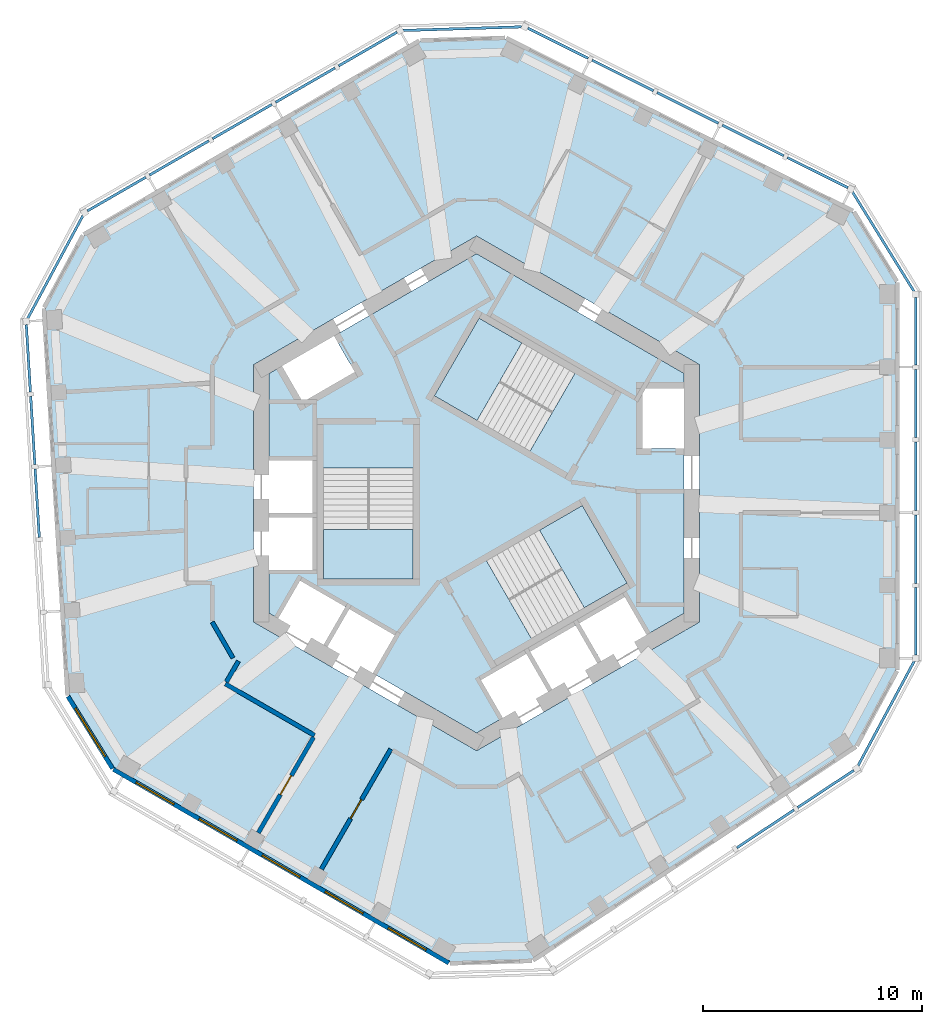
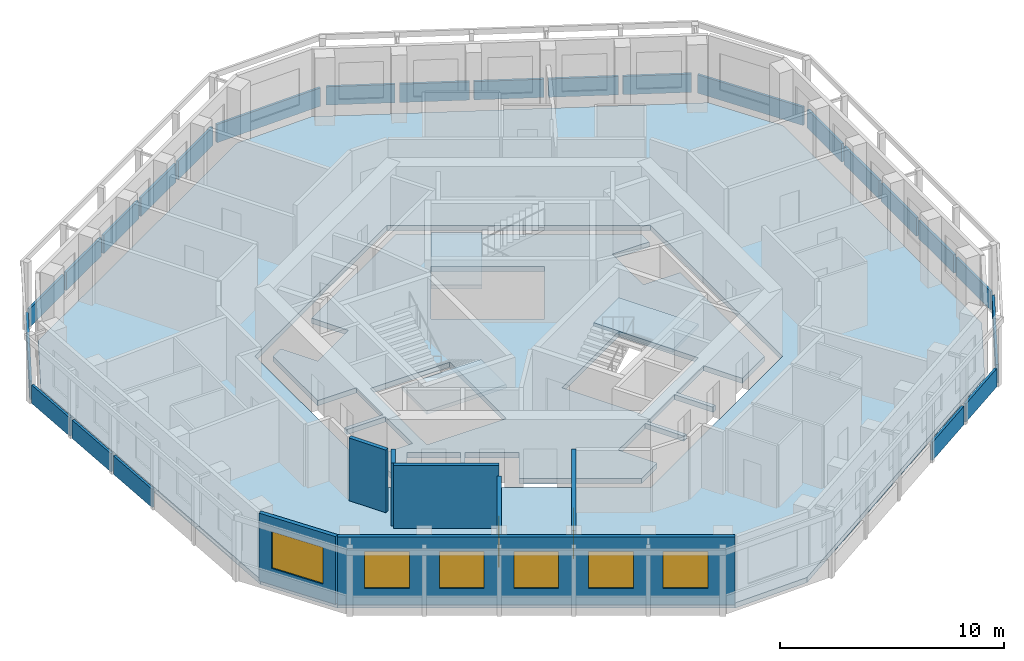
# One storey, part 3 of 11: 24 plates, 7 walls, 6 windows, 5 slabs, 2 doors, 8 openings, 12 elements without a shape of their own.
"""IFC4 building model written with IfcOpenShell, lengths in metres."""

from ifc_helpers import new_model, si_unit, direction, frame, frame_2d, origin, origin_2d, place, context, subcontext, project, spatial, polyline, rectangle, outline, extrude, material, layer, layer_set, type_object, element, fill, aggregate, save


model = new_model("IFC4")

# Units and contexts
model_context = context("Model", 3, precision=1e-05, world=origin(), true_north=direction((0.0, 1.0)))
body_context = subcontext(model_context, "Body", "Model", "MODEL_VIEW")
ifc_project = project(units=[si_unit("LENGTHUNIT", "METRE"), si_unit("AREAUNIT", "SQUARE_METRE"), si_unit("VOLUMEUNIT", "CUBIC_METRE"), si_unit("PLANEANGLEUNIT", "RADIAN"), si_unit("MASSUNIT", "GRAM", prefix="KILO")], contexts=[model_context])

# Site, building, storey
site_placement = place(None, origin())
site = spatial("IfcSite", under=ifc_project, at=site_placement, CompositionType="ELEMENT")
building_placement = place(site_placement, origin())
building = spatial("IfcBuilding", under=site, at=building_placement, Name="Vanh Sen Convention Tower", CompositionType="ELEMENT")
storey_placement = place(building_placement, frame((0.0, 0.0, 293.10009765625)))
storey = spatial("IfcBuildingStorey", under=building, at=storey_placement, Name="L72", CompositionType="ELEMENT", Elevation=293.10009765625)

# Slabs
ifc_material_1 = material(Name="Concrete C40/50", Category="concrete")
ifc_layer_1 = layer(ifc_material_1, 0.280029296875)
ifc_layer_set_1 = layer_set([ifc_layer_1], Name="Concrete C40/50")
slab_type_1 = type_object("IfcSlabType", Name="Core slab 280", PredefinedType="FLOOR", material=ifc_layer_set_1)
slab_1_placement = place(storey_placement, frame((0.0, 0.0, -0.280029296875)))
element("IfcSlab", 1, at=slab_1_placement, inside=storey, type_object=slab_type_1, Name="Core slab L72", PredefinedType="FLOOR", context=body_context, shape_type="SweptSolid", body=[
    extrude(outline(polyline([(0.0, 10.9697265625), (9.5, 5.48486328125), (9.5, 4.800048828125), (7.60009765625, 4.800048828125), (7.60009765625, 2.050048828125), (9.5, 2.050048828125), (9.5, -5.48486328125), (7.781005859375, -6.477294921875), (6.781005859375, -4.7451171875), (4.70263671875, -5.9453125), (5.70263671875, -7.67724609375), (5.529296875, -7.777099609375), (4.529296875, -6.045166015625), (2.450927734375, -7.2451171875), (3.450927734375, -8.977294921875), (3.27783203125, -9.0771484375), (2.27783203125, -7.34521484375), (0.19921875, -8.545166015625), (1.19921875, -10.277099609375), (0.0, -10.9697265625), (-4.75, -8.227294921875), (-3.75, -6.4951171875), (-5.82861328125, -5.295166015625), (-6.82861328125, -7.027099609375), (-7.001708984375, -6.92724609375), (-6.001708984375, -5.1953125), (-8.080078125, -3.9951171875), (-9.080078125, -5.727294921875), (-9.5, -5.48486328125), (-9.5, -3.5), (-7.5, -3.5), (-7.5, -1.10009765625), (-9.5, -1.10009765625), (-9.5, -0.89990234375), (-7.5, -0.89990234375), (-7.5, 1.5), (-9.5, 1.5), (-9.5, 5.48486328125), (-8.906982421875, 5.8271484375), (-7.956787109375, 4.181884765625), (-5.575439453125, 5.556884765625), (-6.525390625, 7.2021484375), (0.0, 10.9697265625)]), holes=[polyline([(-7.0, 1.1494140625), (-7.0, -3.909912109375), (-2.89990234375, -3.909912109375), (-2.89990234375, 1.1494140625), (-7.0, 1.1494140625)]), polyline([(2.504638671875, -6.63671875), (6.88623046875, -4.107177734375), (4.836181640625, -0.556396484375), (0.45458984375, -3.086181640625), (2.504638671875, -6.63671875)]), polyline([(0.11376953125, 8.01708984375), (-1.936279296875, 4.466552734375), (2.4453125, 1.936767578125), (4.495361328125, 5.487548828125), (0.11376953125, 8.01708984375)])]), origin(), (0.0, 0.0, 1.0), 0.280029296875),
])
ifc_layer_2 = layer(ifc_material_1, 0.280029296875)
ifc_layer_set_2 = layer_set([ifc_layer_2], Name="Concrete C40/50")
slab_type_2 = type_object("IfcSlabType", Name="Floor slab 280 REI 120", PredefinedType="FLOOR", material=ifc_layer_set_2)
slab_2_placement = place(storey_placement, frame((0.0, 0.0, -0.280029296875)))
element("IfcSlab", 2, at=slab_2_placement, inside=storey, type_object=slab_type_2, Name="Floor slab L72 tower", PredefinedType="FLOOR", context=body_context, shape_type="SweptSolid", body=[
    extrude(outline(polyline([(19.199951171875, -8.0966796875), (19.199951171875, 9.66162109375), (17.21337890625, 12.871826171875), (1.32080078125, 20.79541015625), (-2.587890625, 20.676025390625), (-17.967041015625, 11.796875), (-19.75390625, 8.471435546875), (-18.669921875, -9.25390625), (-16.612060546875, -12.579345703125), (-1.23291015625, -21.45849609375), (2.54052734375, -21.34326171875), (17.34912109375, -11.541748046875), (19.199951171875, -8.0966796875)]), holes=[polyline([(0.0, 11.77783203125), (-10.199951171875, 5.888916015625), (-10.199951171875, -5.888916015625), (0.0, -11.77783203125), (10.199951171875, -5.888916015625), (10.199951171875, 5.888916015625), (0.0, 11.77783203125)])]), origin(), (0.0, 0.0, 1.0), 0.280029296875),
])

# Curtain wall, plates
ifc_material_2 = material(Name="Concrete C50/60", Category="concrete")
curtain_wall_type = type_object("IfcCurtainWallType", Name="Outer skin office zone", PredefinedType="NOTDEFINED", material=ifc_material_2)
curtain_wall_1_placement = place(storey_placement, origin())
curtain_wall_1 = element("IfcCurtainWall", 3, at=curtain_wall_1_placement, inside=storey, type_object=curtain_wall_type, Name="OUTER SKIN E L72", PredefinedType="NOTDEFINED")
ifc_layer_3 = layer(ifc_material_2, 0.1201171875)
ifc_layer_set_3 = layer_set([ifc_layer_3], Name="Concrete C50/60")
plate_type = type_object("IfcPlateType", Name="Outer skin precast screen panel 120", PredefinedType="CURTAIN_PANEL", material=ifc_layer_set_3)
plate_1_placement = place(storey_placement, frame((20.10009765625, -5.85595703125, 0.0), z_axis=(0.0, 0.0, 1.0), x_axis=(0.0, 1.0, 0.0)))
plate_1 = element("IfcPlate", 4, at=plate_1_placement, type_object=plate_type, Name="OUTER SKIN screen panel E-1", PredefinedType="CURTAIN_PANEL", context=body_context, shape_type="SweptSolid", body=[
    extrude(rectangle(XDim=3.08154296875, YDim=0.1201171875, at=origin_2d()), origin(), (0.0, 0.0, 1.0), 1.0),
])
plate_2_placement = place(storey_placement, frame((20.10009765625, -2.54931640625, 0.0), z_axis=(0.0, 0.0, 1.0), x_axis=(0.0, 1.0, 0.0)))
plate_2 = element("IfcPlate", 5, at=plate_2_placement, type_object=plate_type, Name="OUTER SKIN screen panel E-2", PredefinedType="CURTAIN_PANEL", context=body_context, shape_type="SweptSolid", body=[
    extrude(rectangle(XDim=3.131591796875, YDim=0.1201171875, at=origin_2d()), origin(), (0.0, 0.0, 1.0), 1.0),
])
plate_3_placement = place(storey_placement, frame((20.10009765625, 0.782470703125, 0.0), z_axis=(0.0, 0.0, 1.0), x_axis=(0.0, 1.0, 0.0)))
plate_3 = element("IfcPlate", 6, at=plate_3_placement, type_object=plate_type, Name="OUTER SKIN screen panel E-3", PredefinedType="CURTAIN_PANEL", context=body_context, shape_type="SweptSolid", body=[
    extrude(rectangle(XDim=3.131591796875, YDim=0.1201171875, at=origin_2d()), origin(), (0.0, 0.0, 1.0), 1.0),
])
plate_4_placement = place(storey_placement, frame((20.10009765625, 4.114013671875, 0.0), z_axis=(0.0, 0.0, 1.0), x_axis=(0.0, 1.0, 0.0)))
plate_4 = element("IfcPlate", 7, at=plate_4_placement, type_object=plate_type, Name="OUTER SKIN screen panel E-4", PredefinedType="CURTAIN_PANEL", context=body_context, shape_type="SweptSolid", body=[
    extrude(rectangle(XDim=3.131591796875, YDim=0.1201171875, at=origin_2d()), origin(), (0.0, 0.0, 1.0), 1.0),
])
plate_5_placement = place(storey_placement, frame((20.10009765625, 7.420654296875, 0.0), z_axis=(0.0, 0.0, 1.0), x_axis=(0.0, 1.0, 0.0)))
plate_5 = element("IfcPlate", 8, at=plate_5_placement, type_object=plate_type, Name="OUTER SKIN screen panel E-5", PredefinedType="CURTAIN_PANEL", context=body_context, shape_type="SweptSolid", body=[
    extrude(rectangle(XDim=3.08154296875, YDim=0.1201171875, at=origin_2d()), origin(), (0.0, 0.0, 1.0), 1.0),
])
aggregate(curtain_wall_1, [plate_1, plate_2, plate_3, plate_4, plate_5])

# Curtain wall, plate
curtain_wall_2_placement = place(storey_placement, origin())
curtain_wall_2 = element("IfcCurtainWall", 9, at=curtain_wall_2_placement, inside=storey, type_object=curtain_wall_type, Name="OUTER SKIN CH1 L72", PredefinedType="NOTDEFINED")
plate_6_placement = place(storey_placement, frame((18.611328125, 11.51708984375, 0.0), z_axis=(0.0, 0.0, 1.0), x_axis=(-0.526218376078, 0.850349469734, 0.0)))
plate_6 = element("IfcPlate", 10, at=plate_6_placement, type_object=plate_type, Name="OUTER SKIN screen panel CH1-1", PredefinedType="CURTAIN_PANEL", context=body_context, shape_type="SweptSolid", body=[
    extrude(rectangle(XDim=5.35791015625, YDim=0.1201171875, at=origin_2d()), origin(), (0.0, 0.0, 1.0), 1.0),
])
aggregate(curtain_wall_2, [plate_6])

# Curtain wall, plates
curtain_wall_3_placement = place(storey_placement, origin())
curtain_wall_3 = element("IfcCurtainWall", 11, at=curtain_wall_3_placement, inside=storey, type_object=curtain_wall_type, Name="OUTER SKIN NE L72", PredefinedType="NOTDEFINED")
plate_7_placement = place(storey_placement, frame((15.609619140625, 14.677001953125, 0.0), z_axis=(0.0, 0.0, 1.0), x_axis=(-0.894931246532, 0.446204060919, 0.0)))
plate_7 = element("IfcPlate", 12, at=plate_7_placement, type_object=plate_type, Name="OUTER SKIN screen panel NE-1", PredefinedType="CURTAIN_PANEL", context=body_context, shape_type="SweptSolid", body=[
    extrude(rectangle(XDim=3.081787109375, YDim=0.1201171875, at=origin_2d()), origin(), (0.0, 0.0, 1.0), 1.0),
])
plate_8_placement = place(storey_placement, frame((12.650390625, 16.152587890625, 0.0), z_axis=(0.0, 0.0, 1.0), x_axis=(-0.894931246532, 0.446204060919, 0.0)))
plate_8 = element("IfcPlate", 13, at=plate_8_placement, type_object=plate_type, Name="OUTER SKIN screen panel NE-2", PredefinedType="CURTAIN_PANEL", context=body_context, shape_type="SweptSolid", body=[
    extrude(rectangle(XDim=3.131591796875, YDim=0.1201171875, at=origin_2d()), origin(), (0.0, 0.0, 1.0), 1.0),
])
plate_9_placement = place(storey_placement, frame((9.668701171875, 17.63916015625, 0.0), z_axis=(0.0, 0.0, 1.0), x_axis=(-0.894931246532, 0.446204060919, 0.0)))
plate_9 = element("IfcPlate", 14, at=plate_9_placement, type_object=plate_type, Name="OUTER SKIN screen panel NE-3", PredefinedType="CURTAIN_PANEL", context=body_context, shape_type="SweptSolid", body=[
    extrude(rectangle(XDim=3.131591796875, YDim=0.1201171875, at=origin_2d()), origin(), (0.0, 0.0, 1.0), 1.0),
])
plate_10_placement = place(storey_placement, frame((6.687255859375, 19.125732421875, 0.0), z_axis=(0.0, 0.0, 1.0), x_axis=(-0.89494292782, 0.446180631521, 0.0)))
plate_10 = element("IfcPlate", 15, at=plate_10_placement, type_object=plate_type, Name="OUTER SKIN screen panel NE-4", PredefinedType="CURTAIN_PANEL", context=body_context, shape_type="SweptSolid", body=[
    extrude(rectangle(XDim=3.131591796875, YDim=0.1201171875, at=origin_2d()), origin(), (0.0, 0.0, 1.0), 1.0),
])
plate_11_placement = place(storey_placement, frame((3.727783203125, 20.60107421875, 0.0), z_axis=(0.0, 0.0, 1.0), x_axis=(-0.894931246532, 0.446204060919, 0.0)))
plate_11 = element("IfcPlate", 16, at=plate_11_placement, type_object=plate_type, Name="OUTER SKIN screen panel NE-5", PredefinedType="CURTAIN_PANEL", context=body_context, shape_type="SweptSolid", body=[
    extrude(rectangle(XDim=3.081787109375, YDim=0.1201171875, at=origin_2d()), origin(), (0.0, 0.0, 1.0), 1.0),
])
aggregate(curtain_wall_3, [plate_7, plate_8, plate_9, plate_10, plate_11])

# Curtain wall, plate
curtain_wall_4_placement = place(storey_placement, origin())
curtain_wall_4 = element("IfcCurtainWall", 17, at=curtain_wall_4_placement, inside=storey, type_object=curtain_wall_type, Name="OUTER SKIN CH2 L72", PredefinedType="NOTDEFINED")
plate_12_placement = place(storey_placement, frame((-0.64990234375, 21.26806640625, 0.0), z_axis=(0.0, 0.0, 1.0), x_axis=(-0.99953391058, -0.030528046117, 0.0)))
plate_12 = element("IfcPlate", 18, at=plate_12_placement, type_object=plate_type, Name="OUTER SKIN screen panel CH2-1", PredefinedType="CURTAIN_PANEL", context=body_context, shape_type="SweptSolid", body=[
    extrude(rectangle(XDim=5.431640625, YDim=0.1201171875, at=origin_2d()), origin(), (0.0, 0.0, 1.0), 1.0),
])
aggregate(curtain_wall_4, [plate_12])

# Curtain wall, plates
curtain_wall_5_placement = place(storey_placement, origin())
curtain_wall_5 = element("IfcCurtainWall", 19, at=curtain_wall_5_placement, inside=storey, type_object=curtain_wall_type, Name="OUTER SKIN NW L72", PredefinedType="NOTDEFINED")
plate_13_placement = place(storey_placement, frame((-4.978515625, 20.335205078125, 0.0), z_axis=(0.0, 0.0, 1.0), x_axis=(-0.866015804314, -0.500016626402, 0.0)))
plate_13 = element("IfcPlate", 20, at=plate_13_placement, type_object=plate_type, Name="OUTER SKIN screen panel NW-1", PredefinedType="CURTAIN_PANEL", context=body_context, shape_type="SweptSolid", body=[
    extrude(rectangle(XDim=3.081787109375, YDim=0.1201171875, at=origin_2d()), origin(), (0.0, 0.0, 1.0), 1.0),
])
plate_14_placement = place(storey_placement, frame((-7.84228515625, 18.681640625, 0.0), z_axis=(0.0, 0.0, 1.0), x_axis=(-0.866028894422, -0.49999395399, 0.0)))
plate_14 = element("IfcPlate", 21, at=plate_14_placement, type_object=plate_type, Name="OUTER SKIN screen panel NW-2", PredefinedType="CURTAIN_PANEL", context=body_context, shape_type="SweptSolid", body=[
    extrude(rectangle(XDim=3.131591796875, YDim=0.1201171875, at=origin_2d()), origin(), (0.0, 0.0, 1.0), 1.0),
])
plate_15_placement = place(storey_placement, frame((-10.7275390625, 17.015869140625, 0.0), z_axis=(0.0, 0.0, 1.0), x_axis=(-0.866028894422, -0.49999395399, 0.0)))
plate_15 = element("IfcPlate", 22, at=plate_15_placement, type_object=plate_type, Name="OUTER SKIN screen panel NW-3", PredefinedType="CURTAIN_PANEL", context=body_context, shape_type="SweptSolid", body=[
    extrude(rectangle(XDim=3.131591796875, YDim=0.1201171875, at=origin_2d()), origin(), (0.0, 0.0, 1.0), 1.0),
])
plate_16_placement = place(storey_placement, frame((-13.61279296875, 15.35009765625, 0.0), z_axis=(0.0, 0.0, 1.0), x_axis=(-0.866015804314, -0.500016626402, 0.0)))
plate_16 = element("IfcPlate", 23, at=plate_16_placement, type_object=plate_type, Name="OUTER SKIN screen panel NW-4", PredefinedType="CURTAIN_PANEL", context=body_context, shape_type="SweptSolid", body=[
    extrude(rectangle(XDim=3.131591796875, YDim=0.1201171875, at=origin_2d()), origin(), (0.0, 0.0, 1.0), 1.0),
])
plate_17_placement = place(storey_placement, frame((-16.4765625, 13.69677734375, 0.0), z_axis=(0.0, 0.0, 1.0), x_axis=(-0.866028894422, -0.49999395399, 0.0)))
plate_17 = element("IfcPlate", 24, at=plate_17_placement, type_object=plate_type, Name="OUTER SKIN screen panel NW-5", PredefinedType="CURTAIN_PANEL", context=body_context, shape_type="SweptSolid", body=[
    extrude(rectangle(XDim=3.08154296875, YDim=0.1201171875, at=origin_2d()), origin(), (0.0, 0.0, 1.0), 1.0),
])
aggregate(curtain_wall_5, [plate_13, plate_14, plate_15, plate_16, plate_17])

# Curtain wall, plate
curtain_wall_6_placement = place(storey_placement, origin())
curtain_wall_6 = element("IfcCurtainWall", 25, at=curtain_wall_6_placement, inside=storey, type_object=curtain_wall_type, Name="OUTER SKIN CH3 L72", PredefinedType="NOTDEFINED")
plate_18_placement = place(storey_placement, frame((-19.27978515625, 10.359375, 0.0), z_axis=(0.0, 0.0, 1.0), x_axis=(-0.473324279511, -0.880888259897, 0.0)))
plate_18 = element("IfcPlate", 26, at=plate_18_placement, type_object=plate_type, Name="OUTER SKIN screen panel CH3-1", PredefinedType="CURTAIN_PANEL", context=body_context, shape_type="SweptSolid", body=[
    extrude(rectangle(XDim=5.35791015625, YDim=0.1201171875, at=origin_2d()), origin(), (0.0, 0.0, 1.0), 1.0),
])
aggregate(curtain_wall_6, [plate_18])

# Curtain wall, plates
curtain_wall_7_placement = place(storey_placement, origin())
curtain_wall_7 = element("IfcCurtainWall", 27, at=curtain_wall_7_placement, inside=storey, type_object=curtain_wall_type, Name="OUTER SKIN W L72", PredefinedType="NOTDEFINED")
plate_19_placement = place(storey_placement, frame((-20.515380859375, 6.1796875, 0.0), z_axis=(0.0, 0.0, 1.0), x_axis=(0.061052023682, -0.998134585316, 0.0)))
plate_19 = element("IfcPlate", 28, at=plate_19_placement, type_object=plate_type, Name="OUTER SKIN screen panel W-1", PredefinedType="CURTAIN_PANEL", context=body_context, shape_type="SweptSolid", body=[
    extrude(rectangle(XDim=3.08154296875, YDim=0.1201171875, at=origin_2d()), origin(), (0.0, 0.0, 1.0), 1.0),
])
plate_20_placement = place(storey_placement, frame((-20.313720703125, 2.87939453125, 0.0), z_axis=(0.0, 0.0, 1.0), x_axis=(0.061050281609, -0.998134691871, 0.0)))
plate_20 = element("IfcPlate", 29, at=plate_20_placement, type_object=plate_type, Name="OUTER SKIN screen panel W-2", PredefinedType="CURTAIN_PANEL", context=body_context, shape_type="SweptSolid", body=[
    extrude(rectangle(XDim=3.131591796875, YDim=0.1201171875, at=origin_2d()), origin(), (0.0, 0.0, 1.0), 1.0),
])
plate_21_placement = place(storey_placement, frame((-20.1103515625, -0.4462890625, 0.0), z_axis=(0.0, 0.0, 1.0), x_axis=(0.061052023682, -0.998134585316, 0.0)))
plate_21 = element("IfcPlate", 30, at=plate_21_placement, type_object=plate_type, Name="OUTER SKIN screen panel W-3", PredefinedType="CURTAIN_PANEL", context=body_context, shape_type="SweptSolid", body=[
    extrude(rectangle(XDim=3.131591796875, YDim=0.1201171875, at=origin_2d()), origin(), (0.0, 0.0, 1.0), 1.0),
])
aggregate(curtain_wall_7, [plate_19, plate_20, plate_21])

curtain_wall_8_placement = place(storey_placement, origin())
curtain_wall_8 = element("IfcCurtainWall", 31, at=curtain_wall_8_placement, inside=storey, type_object=curtain_wall_type, Name="OUTER SKIN SE L72", PredefinedType="NOTDEFINED")
plate_22_placement = place(storey_placement, frame((13.2197265625, -15.35400390625, 0.0), z_axis=(0.0, 0.0, 1.0), x_axis=(0.833879078823, 0.551947173108, 0.0)))
plate_22 = element("IfcPlate", 32, at=plate_22_placement, type_object=plate_type, Name="OUTER SKIN screen panel SE-4", PredefinedType="CURTAIN_PANEL", context=body_context, shape_type="SweptSolid", body=[
    extrude(rectangle(XDim=3.131591796875, YDim=0.1201171875, at=origin_2d()), origin(), (0.0, 0.0, 1.0), 1.0),
])
plate_23_placement = place(storey_placement, frame((15.97705078125, -13.529052734375, 0.0), z_axis=(0.0, 0.0, 1.0), x_axis=(0.833879078823, 0.551947173108, 0.0)))
plate_23 = element("IfcPlate", 33, at=plate_23_placement, type_object=plate_type, Name="OUTER SKIN screen panel SE-5", PredefinedType="CURTAIN_PANEL", context=body_context, shape_type="SweptSolid", body=[
    extrude(rectangle(XDim=3.081787109375, YDim=0.1201171875, at=origin_2d()), origin(), (0.0, 0.0, 1.0), 1.0),
])
aggregate(curtain_wall_8, [plate_22, plate_23])

# Curtain wall, plate
curtain_wall_9_placement = place(storey_placement, origin())
curtain_wall_9 = element("IfcCurtainWall", 34, at=curtain_wall_9_placement, inside=storey, type_object=curtain_wall_type, Name="OUTER SKIN CH6 L72", PredefinedType="NOTDEFINED")
plate_24_placement = place(storey_placement, frame((18.743408203125, -10.0712890625, 0.0), z_axis=(0.0, 0.0, 1.0), x_axis=(0.473324279511, 0.880888259897, 0.0)))
plate_24 = element("IfcPlate", 35, at=plate_24_placement, type_object=plate_type, Name="OUTER SKIN screen panel CH6-1", PredefinedType="CURTAIN_PANEL", context=body_context, shape_type="SweptSolid", body=[
    extrude(rectangle(XDim=5.431884765625, YDim=0.1201171875, at=origin_2d()), origin(), (0.0, 0.0, 1.0), 1.0),
])
aggregate(curtain_wall_9, [plate_24])

# Stair, slab
ifc_material_3 = material(Name="Concrete C50/60", Category="concrete")
stair_type_1 = type_object("IfcStairType", Name="Exit stair ST1 22 risers at 168.2", PredefinedType="HALF_TURN_STAIR", material=ifc_material_3)
stair_1_placement = place(storey_placement, origin())
stair_1 = element("IfcStair", 36, at=stair_1_placement, inside=storey, type_object=stair_type_1, Name="Exit stair ST1 L72", PredefinedType="HALF_TURN_STAIR")
ifc_layer_4 = layer(ifc_material_1, 0.199951171875)
ifc_layer_set_4 = layer_set([ifc_layer_4], Name="Concrete C40/50")
slab_type_3 = type_object("IfcSlabType", Name="Stair landing 200", PredefinedType="LANDING", material=ifc_layer_set_4)
slab_3_placement = place(storey_placement, frame((0.0, 0.0, 1.64990234375)))
slab_3 = element("IfcSlab", 37, at=slab_3_placement, type_object=slab_type_3, Name="ST1 landing 1", PredefinedType="LANDING", context=body_context, shape_type="SweptSolid", body=[
    extrude(outline(polyline([(2.07177734375, 6.88671875), (0.11376953125, 8.01708984375), (-1.936279296875, 4.466552734375), (0.021728515625, 3.336181640625), (2.07177734375, 6.88671875)])), origin(), (0.0, 0.0, 1.0), 0.199951171875),
])
aggregate(stair_1, [slab_3])

stair_type_2 = type_object("IfcStairType", Name="Exit stair ST2 22 risers at 168.2", PredefinedType="HALF_TURN_STAIR", material=ifc_material_3)
stair_2_placement = place(storey_placement, origin())
stair_2 = element("IfcStair", 38, at=stair_2_placement, inside=storey, type_object=stair_type_2, Name="Exit stair ST2 L72", PredefinedType="HALF_TURN_STAIR")
slab_4_placement = place(storey_placement, frame((0.0, 0.0, 1.64990234375)))
slab_4 = element("IfcSlab", 39, at=slab_4_placement, type_object=slab_type_3, Name="ST2 landing 1", PredefinedType="LANDING", context=body_context, shape_type="SweptSolid", body=[
    extrude(outline(polyline([(-7.0, -1.6494140625), (-7.0, -3.909912109375), (-2.89990234375, -3.909912109375), (-2.89990234375, -1.6494140625), (-7.0, -1.6494140625)])), origin(), (0.0, 0.0, 1.0), 0.199951171875),
])
aggregate(stair_2, [slab_4])

stair_type_3 = type_object("IfcStairType", Name="Exit stair ST3 22 risers at 168.2", PredefinedType="HALF_TURN_STAIR", material=ifc_material_3)
stair_3_placement = place(storey_placement, origin())
stair_3 = element("IfcStair", 40, at=stair_3_placement, inside=storey, type_object=stair_type_3, Name="Exit stair ST3 L72", PredefinedType="HALF_TURN_STAIR")
slab_5_placement = place(storey_placement, frame((0.0, 0.0, 1.64990234375)))
slab_5 = element("IfcSlab", 41, at=slab_5_placement, type_object=slab_type_3, Name="ST3 landing 1", PredefinedType="LANDING", context=body_context, shape_type="SweptSolid", body=[
    extrude(outline(polyline([(4.92822265625, -5.237548828125), (6.88623046875, -4.107177734375), (4.836181640625, -0.556396484375), (2.87841796875, -1.686767578125), (4.92822265625, -5.237548828125)])), origin(), (0.0, 0.0, 1.0), 0.199951171875),
])
aggregate(stair_3, [slab_5])

# Walls
ifc_material_4 = material(Name="Gypsum board on steel studs with mineral wool", Category="steel")
ifc_layer_5 = layer(ifc_material_4, 0.199951171875)
ifc_layer_set_5 = layer_set([ifc_layer_5], Name="Gypsum board on steel studs with mineral wool")
wall_type_1 = type_object("IfcWallType", Name="Corridor partition wall 200", PredefinedType="PARTITIONING", material=ifc_layer_set_5)
wall_1_placement = place(storey_placement, frame((-12.10009765625, -5.888916015625, 0.0), z_axis=(0.0, 0.0, 1.0), x_axis=(0.500063520245, -0.865988727248, 0.0)))
element("IfcWall", 42, at=wall_1_placement, inside=storey, type_object=wall_type_1, Name="Corridor partition wall 200", PredefinedType="PARTITIONING", context=body_context, shape_type="SweptSolid", body=[
    extrude(rectangle(XDim=1.900146484375, YDim=0.199951171875, at=frame_2d((0.9501953125, 0.0))), origin(), (0.0, 0.0, 1.0), 3.419921875),
])
wall_2_placement = place(storey_placement, frame((-11.501220703125, -8.718505859375, 0.0), z_axis=(0.0, 0.0, 1.0), x_axis=(0.866024434742, -0.500001678427, 0.0)))
element("IfcWall", 43, at=wall_2_placement, inside=storey, type_object=wall_type_1, Name="Corridor partition wall 200", PredefinedType="PARTITIONING", context=body_context, shape_type="SweptSolid", body=[
    extrude(rectangle(XDim=4.7177734375, YDim=0.199951171875, at=frame_2d((2.35888671875, 0.0))), origin(), (0.0, 0.0, 1.0), 3.419921875),
])
wall_3_placement = place(storey_placement, frame((-10.900634765625, -7.678466796875, 0.0), z_axis=(0.0, 0.0, 1.0), x_axis=(-0.500074377092, -0.865982457891, 0.0)))
element("IfcWall", 44, at=wall_3_placement, inside=storey, type_object=wall_type_1, Name="Corridor partition wall 200", PredefinedType="PARTITIONING", context=body_context, shape_type="SweptSolid", body=[
    extrude(rectangle(XDim=1.100830078125, YDim=0.199951171875, at=frame_2d((0.55029296875, 0.0))), origin(), (0.0, 0.0, 1.0), 3.419921875),
])

# Wall, opening, door
wall_4_placement = place(storey_placement, frame((-9.989990234375, -15.53662109375, 0.0), z_axis=(0.0, 0.0, 1.0), x_axis=(0.499966611936, 0.866044679534, 0.0)))
wall_4 = element("IfcWall", 45, at=wall_4_placement, inside=storey, type_object=wall_type_1, Name="Corridor partition wall 200", PredefinedType="PARTITIONING", context=body_context, shape_type="SweptSolid", body=[
    extrude(rectangle(XDim=5.049072265625, YDim=0.199951171875, at=frame_2d((2.5244140625, 0.0))), origin(), (0.0, 0.0, 1.0), 2.869873046875),
])
opening_1_placement = place(wall_4_placement, frame((2.0244140625, 0.0, 0.0)))
opening_1 = element("IfcOpeningElement", 46, at=opening_1_placement, cuts=wall_4, Name="Opening D72114", PredefinedType="OPENING", context=body_context, shape_type="SweptSolid", body=[
    extrude(rectangle(XDim=1.0, YDim=2.10009765625, at=frame_2d((0.5, 1.050048828125))), frame((0.0, 0.10986328125, 0.0), z_axis=(0.0, -1.0, 0.0), x_axis=(1.0, 0.0, 0.0)), (0.0, 0.0, 1.0), 0.219970703125),
])
ifc_material_5 = material(Name="Glazed fire door in steel frame", Category="steel")
door_type = type_object("IfcDoorType", Name="Tenant entrance door 1000", OperationType="SINGLE_SWING_LEFT", PredefinedType="DOOR", material=ifc_material_5)
door_1_placement = place(opening_1_placement, origin())
door_1 = element("IfcDoor", 47, at=door_1_placement, inside=storey, type_object=door_type, Name="Tenant suite entrance door D72114", OperationType="SINGLE_SWING_LEFT", OverallHeight=2.10009765625, OverallWidth=1.0, PredefinedType="DOOR", context=body_context, shape_type="SweptSolid", body=[
    extrude(rectangle(XDim=1.0, YDim=2.10009765625, at=frame_2d((0.5, 1.050048828125))), frame((0.0, 0.02490234375, 0.0), z_axis=(0.0, -1.0, 0.0), x_axis=(1.0, 0.0, 0.0)), (0.0, 0.0, 1.0), 0.050048828125),
])
fill(opening_1, door_1)

wall_5_placement = place(storey_placement, frame((-7.104736328125, -17.202392578125, 0.0), z_axis=(0.0, 0.0, 1.0), x_axis=(0.499988692146, 0.866031932279, 0.0)))
wall_5 = element("IfcWall", 48, at=wall_5_placement, inside=storey, type_object=wall_type_1, Name="Corridor partition wall 200", PredefinedType="PARTITIONING", context=body_context, shape_type="SweptSolid", body=[
    extrude(rectangle(XDim=6.350341796875, YDim=0.199951171875, at=frame_2d((3.17529296875, 0.0))), origin(), (0.0, 0.0, 1.0), 3.419921875),
])
opening_2_placement = place(wall_5_placement, frame((2.675048828125, 0.0, 0.0)))
opening_2 = element("IfcOpeningElement", 49, at=opening_2_placement, cuts=wall_5, Name="Opening D72115", PredefinedType="OPENING", context=body_context, shape_type="SweptSolid", body=[
    extrude(rectangle(XDim=1.0, YDim=2.10009765625, at=frame_2d((0.5, 1.050048828125))), frame((0.0, 0.10986328125, 0.0), z_axis=(0.0, -1.0, 0.0), x_axis=(1.0, 0.0, 0.0)), (0.0, 0.0, 1.0), 0.219970703125),
])
door_2_placement = place(opening_2_placement, origin())
door_2 = element("IfcDoor", 50, at=door_2_placement, inside=storey, type_object=door_type, Name="Tenant suite entrance door D72115", OperationType="SINGLE_SWING_LEFT", OverallHeight=2.10009765625, OverallWidth=1.0, PredefinedType="DOOR", context=body_context, shape_type="SweptSolid", body=[
    extrude(rectangle(XDim=1.0, YDim=2.10009765625, at=frame_2d((0.5, 1.050048828125))), frame((0.0, 0.02490234375, 0.0), z_axis=(0.0, -1.0, 0.0), x_axis=(1.0, 0.0, 0.0)), (0.0, 0.0, 1.0), 0.050048828125),
])
fill(opening_2, door_2)

# Wall, opening, window
ifc_material_6 = material(Name="Insulated lightweight infill wall")
ifc_layer_6 = layer(ifc_material_6, 0.199951171875)
ifc_layer_set_6 = layer_set([ifc_layer_6], Name="Insulated lightweight infill wall")
wall_type_2 = type_object("IfcWallType", Name="External wall 200", PredefinedType="STANDARD", material=ifc_layer_set_6)
wall_6_placement = place(storey_placement, frame((-18.705810546875, -9.290771484375, 0.0), z_axis=(0.0, 0.0, 1.0), x_axis=(0.526209683648, -0.850354848775, 0.0)))
wall_6 = element("IfcWall", 51, at=wall_6_placement, inside=storey, type_object=wall_type_2, Name="External wall CH4 L72", PredefinedType="STANDARD", context=body_context, shape_type="SweptSolid", body=[
    extrude(rectangle(XDim=3.8857421875, YDim=0.199951171875, at=frame_2d((1.94287109375, 0.0))), origin(), (0.0, 0.0, 1.0), 3.699951171875),
])
opening_3_placement = place(wall_6_placement, frame((0.642822265625, 0.0, 0.89990234375)))
opening_3 = element("IfcOpeningElement", 52, at=opening_3_placement, cuts=wall_6, Name="Opening WO6-CH41", PredefinedType="OPENING", context=body_context, shape_type="SweptSolid", body=[
    extrude(rectangle(XDim=2.60009765625, YDim=2.0, at=frame_2d((1.300048828125, 1.0))), frame((0.0, 0.10986328125, 0.0), z_axis=(0.0, -1.0, 0.0), x_axis=(1.0, 0.0, 0.0)), (0.0, 0.0, 1.0), 0.219970703125),
])
ifc_material_7 = material(Name="Aluminium frame with clear low-emissivity glass", Category="aluminium")
window_type_1 = type_object("IfcWindowType", Name="Office window 2600 x 2000", PartitioningType="SINGLE_PANEL", PredefinedType="WINDOW", material=ifc_material_7)
window_1_placement = place(opening_3_placement, origin())
window_1 = element("IfcWindow", 53, at=window_1_placement, inside=storey, type_object=window_type_1, Name="Window WO6-CH41", OverallHeight=2.0, OverallWidth=2.60009765625, PartitioningType="SINGLE_PANEL", PredefinedType="WINDOW", context=body_context, shape_type="SweptSolid", body=[
    extrude(rectangle(XDim=2.60009765625, YDim=2.0, at=frame_2d((1.300048828125, 1.0))), frame((0.0, 0.030029296875, 0.0), z_axis=(0.0, -1.0, 0.0), x_axis=(1.0, 0.0, 0.0)), (0.0, 0.0, 1.0), 0.06005859375),
])
fill(opening_3, window_1)

# Wall, openings, windows
wall_7_placement = place(storey_placement, frame((-16.626220703125, -12.62890625, 0.0), z_axis=(0.0, 0.0, 1.0), x_axis=(0.866026460444, -0.499998169808, 0.0)))
wall_7 = element("IfcWall", 54, at=wall_7_placement, inside=storey, type_object=wall_type_2, Name="External wall SW L72", PredefinedType="STANDARD", context=body_context, shape_type="SweptSolid", body=[
    extrude(rectangle(XDim=17.7314453125, YDim=0.199951171875, at=frame_2d((8.86572265625, 0.0))), origin(), (0.0, 0.0, 1.0), 3.699951171875),
])
opening_4_placement = place(wall_7_placement, frame((1.203125, 0.0, 0.89990234375)))
opening_4 = element("IfcOpeningElement", 55, at=opening_4_placement, cuts=wall_7, Name="Opening WO5-SW1", PredefinedType="OPENING", context=body_context, shape_type="SweptSolid", body=[
    extrude(rectangle(XDim=2.0, YDim=2.0, at=frame_2d((1.0, 1.0))), frame((0.0, 0.10986328125, 0.0), z_axis=(0.0, -1.0, 0.0), x_axis=(1.0, 0.0, 0.0)), (0.0, 0.0, 1.0), 0.219970703125),
])
opening_5_placement = place(wall_7_placement, frame((4.534912109375, 0.0, 0.89990234375)))
opening_5 = element("IfcOpeningElement", 56, at=opening_5_placement, cuts=wall_7, Name="Opening WO5-SW2", PredefinedType="OPENING", context=body_context, shape_type="SweptSolid", body=[
    extrude(rectangle(XDim=2.0, YDim=2.0, at=frame_2d((1.0, 1.0))), frame((0.0, 0.10986328125, 0.0), z_axis=(0.0, -1.0, 0.0), x_axis=(1.0, 0.0, 0.0)), (0.0, 0.0, 1.0), 0.219970703125),
])
opening_6_placement = place(wall_7_placement, frame((7.86669921875, 0.0, 0.89990234375)))
opening_6 = element("IfcOpeningElement", 57, at=opening_6_placement, cuts=wall_7, Name="Opening WO5-SW3", PredefinedType="OPENING", context=body_context, shape_type="SweptSolid", body=[
    extrude(rectangle(XDim=2.0, YDim=2.0, at=frame_2d((1.0, 1.0))), frame((0.0, 0.10986328125, 0.0), z_axis=(0.0, -1.0, 0.0), x_axis=(1.0, 0.0, 0.0)), (0.0, 0.0, 1.0), 0.219970703125),
])
opening_7_placement = place(wall_7_placement, frame((11.1982421875, 0.0, 0.89990234375)))
opening_7 = element("IfcOpeningElement", 58, at=opening_7_placement, cuts=wall_7, Name="Opening WO5-SW4", PredefinedType="OPENING", context=body_context, shape_type="SweptSolid", body=[
    extrude(rectangle(XDim=2.0, YDim=2.0, at=frame_2d((1.0, 1.0))), frame((0.0, 0.10986328125, 0.0), z_axis=(0.0, -1.0, 0.0), x_axis=(1.0, 0.0, 0.0)), (0.0, 0.0, 1.0), 0.219970703125),
])
opening_8_placement = place(wall_7_placement, frame((14.52978515625, 0.0, 0.89990234375)))
opening_8 = element("IfcOpeningElement", 59, at=opening_8_placement, cuts=wall_7, Name="Opening WO5-SW5", PredefinedType="OPENING", context=body_context, shape_type="SweptSolid", body=[
    extrude(rectangle(XDim=2.0, YDim=2.0, at=frame_2d((1.0, 1.0))), frame((0.0, 0.10986328125, 0.0), z_axis=(0.0, -1.0, 0.0), x_axis=(1.0, 0.0, 0.0)), (0.0, 0.0, 1.0), 0.219970703125),
])
window_type_2 = type_object("IfcWindowType", Name="Office window 2000 x 2000", PartitioningType="SINGLE_PANEL", PredefinedType="WINDOW", material=ifc_material_7)
window_2_placement = place(opening_4_placement, origin())
window_2 = element("IfcWindow", 60, at=window_2_placement, inside=storey, type_object=window_type_2, Name="Window WO5-SW1", OverallHeight=2.0, OverallWidth=2.0, PartitioningType="SINGLE_PANEL", PredefinedType="WINDOW", context=body_context, shape_type="SweptSolid", body=[
    extrude(rectangle(XDim=2.0, YDim=2.0, at=frame_2d((1.0, 1.0))), frame((0.0, 0.030029296875, 0.0), z_axis=(0.0, -1.0, 0.0), x_axis=(1.0, 0.0, 0.0)), (0.0, 0.0, 1.0), 0.06005859375),
])
fill(opening_4, window_2)
window_3_placement = place(opening_5_placement, origin())
window_3 = element("IfcWindow", 61, at=window_3_placement, inside=storey, type_object=window_type_2, Name="Window WO5-SW2", OverallHeight=2.0, OverallWidth=2.0, PartitioningType="SINGLE_PANEL", PredefinedType="WINDOW", context=body_context, shape_type="SweptSolid", body=[
    extrude(rectangle(XDim=2.0, YDim=2.0, at=frame_2d((1.0, 1.0))), frame((0.0, 0.030029296875, 0.0), z_axis=(0.0, -1.0, 0.0), x_axis=(1.0, 0.0, 0.0)), (0.0, 0.0, 1.0), 0.06005859375),
])
fill(opening_5, window_3)
window_4_placement = place(opening_6_placement, origin())
window_4 = element("IfcWindow", 62, at=window_4_placement, inside=storey, type_object=window_type_2, Name="Window WO5-SW3", OverallHeight=2.0, OverallWidth=2.0, PartitioningType="SINGLE_PANEL", PredefinedType="WINDOW", context=body_context, shape_type="SweptSolid", body=[
    extrude(rectangle(XDim=2.0, YDim=2.0, at=frame_2d((1.0, 1.0))), frame((0.0, 0.030029296875, 0.0), z_axis=(0.0, -1.0, 0.0), x_axis=(1.0, 0.0, 0.0)), (0.0, 0.0, 1.0), 0.06005859375),
])
fill(opening_6, window_4)
window_5_placement = place(opening_7_placement, origin())
window_5 = element("IfcWindow", 63, at=window_5_placement, inside=storey, type_object=window_type_2, Name="Window WO5-SW4", OverallHeight=2.0, OverallWidth=2.0, PartitioningType="SINGLE_PANEL", PredefinedType="WINDOW", context=body_context, shape_type="SweptSolid", body=[
    extrude(rectangle(XDim=2.0, YDim=2.0, at=frame_2d((1.0, 1.0))), frame((0.0, 0.030029296875, 0.0), z_axis=(0.0, -1.0, 0.0), x_axis=(1.0, 0.0, 0.0)), (0.0, 0.0, 1.0), 0.06005859375),
])
fill(opening_7, window_5)
window_6_placement = place(opening_8_placement, origin())
window_6 = element("IfcWindow", 64, at=window_6_placement, inside=storey, type_object=window_type_2, Name="Window WO5-SW5", OverallHeight=2.0, OverallWidth=2.0, PartitioningType="SINGLE_PANEL", PredefinedType="WINDOW", context=body_context, shape_type="SweptSolid", body=[
    extrude(rectangle(XDim=2.0, YDim=2.0, at=frame_2d((1.0, 1.0))), frame((0.0, 0.030029296875, 0.0), z_axis=(0.0, -1.0, 0.0), x_axis=(1.0, 0.0, 0.0)), (0.0, 0.0, 1.0), 0.06005859375),
])
fill(opening_8, window_6)

save(model, "model.ifc")
